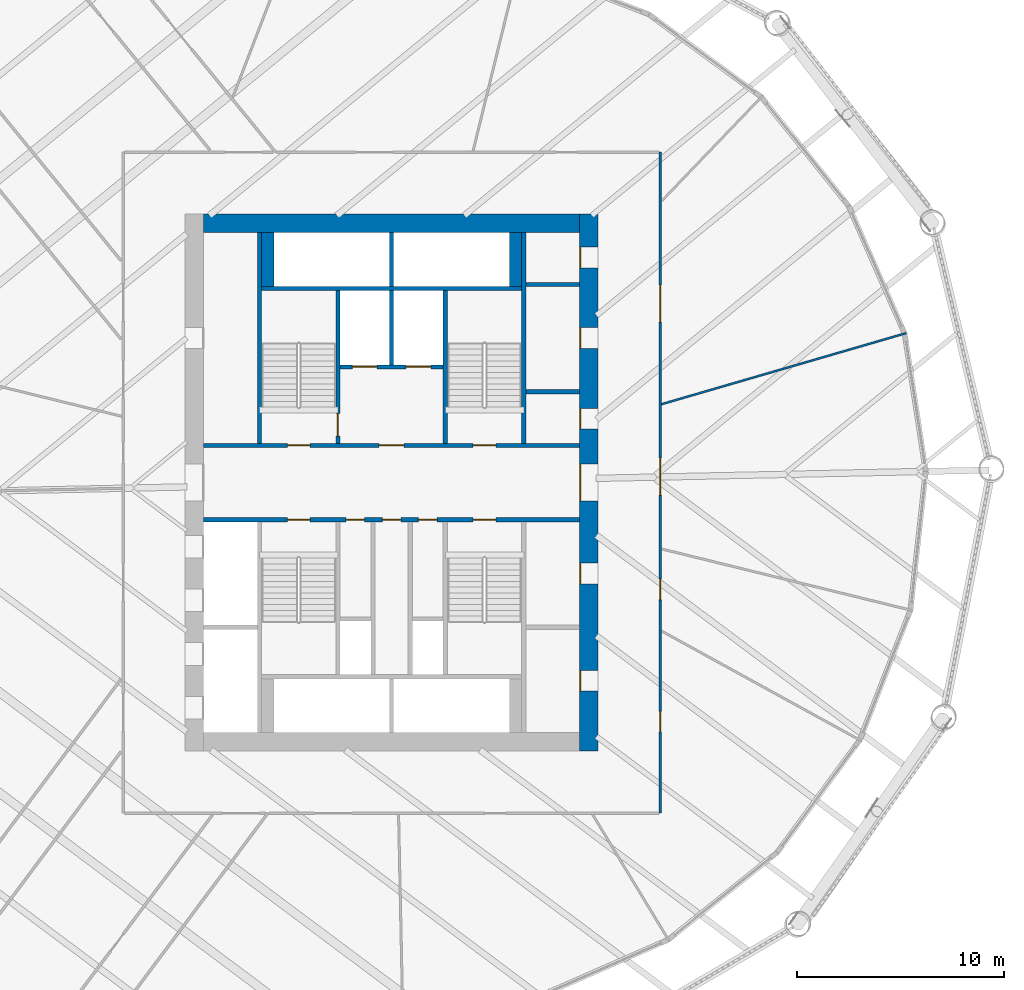
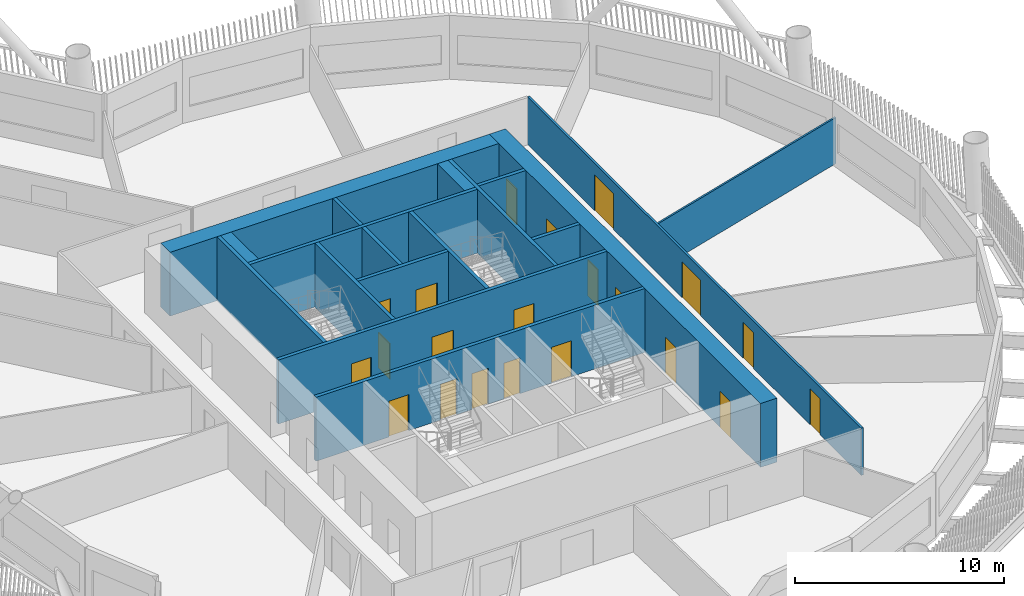
# One storey, part 5 of 22: 21 doors, 18 walls, 21 openings.
"""IFC4 building model written with IfcOpenShell, lengths in metres."""

from ifc_helpers import new_model, si_unit, direction, frame, frame_2d, origin, place, context, subcontext, project, spatial, rectangle, extrude, material, layer, layer_set, type_object, element, fill, save


model = new_model("IFC4")

# Units and contexts
model_context = context("Model", 3, precision=1e-05, world=origin(), true_north=direction((0.0, 1.0)))
body_context = subcontext(model_context, "Body", "Model", "MODEL_VIEW")
ifc_project = project(units=[si_unit("LENGTHUNIT", "METRE"), si_unit("AREAUNIT", "SQUARE_METRE"), si_unit("VOLUMEUNIT", "CUBIC_METRE"), si_unit("PLANEANGLEUNIT", "RADIAN"), si_unit("MASSUNIT", "GRAM", prefix="KILO")], contexts=[model_context])

# Site, building, storey
site_placement = place(None, origin())
site = spatial("IfcSite", under=ifc_project, at=site_placement, CompositionType="ELEMENT")
building_placement = place(site_placement, origin())
building = spatial("IfcBuilding", under=site, at=building_placement, Name="Tarsis Ring Headquarters", CompositionType="ELEMENT")
storey_placement = place(building_placement, frame((0.0, 0.0, 40.0)))
storey = spatial("IfcBuildingStorey", under=building, at=storey_placement, Name="L07", CompositionType="ELEMENT", Elevation=40.0)

# Walls
ifc_material_1 = material(Name="Blockwork", Category="masonry")
ifc_layer_1 = layer(ifc_material_1, 0.199951171875)
ifc_layer_set_1 = layer_set([ifc_layer_1], Name="Core blockwork wall 200")
wall_type_1 = type_object("IfcWallType", Name="Core blockwork wall 200", PredefinedType="PARTITIONING", material=ifc_layer_set_1)
for number, where, z_axis, x_axis, name in (
    (1, (6.5, 4.39990234375, 0.0), (0.0, 0.0, 1.0), (1.0, 0.0, 0.0), "Core partition ED5"),
    (2, (6.5, 9.60009765625, 0.0), (0.0, 0.0, 1.0), (1.0, 0.0, 0.0), "Core partition ED7"),
):
    element("IfcWall", number, at=place(storey_placement, frame(where, z_axis=z_axis, x_axis=x_axis)), inside=storey, type_object=wall_type_1, Name=name, PredefinedType="PARTITIONING", context=body_context, shape_type="SweptSolid", body=[
        extrude(rectangle(XDim=2.60009765625, YDim=0.199951171875, at=frame_2d((1.300048828125, 0.0))), origin(), (0.0, 0.0, 1.0), 3.739990234375),
    ])

# Wall, openings, doors
ifc_material_2 = material(Name="Concrete C60/75", Category="concrete")
ifc_layer_2 = layer(ifc_material_2, 0.89990234375)
ifc_layer_set_2 = layer_set([ifc_layer_2], Name="Core wall 900 C60/75")
wall_type_2 = type_object("IfcWallType", Name="Core wall 900 C60/75", PredefinedType="SHEAR", material=ifc_layer_set_2)
wall_1_placement = place(storey_placement, frame((9.550048828125, -13.0, 0.0), z_axis=(0.0, 0.0, 1.0), x_axis=(0.0, 1.0, 0.0)))
wall_1 = element("IfcWall", 3, at=wall_1_placement, inside=storey, type_object=wall_type_2, Name="Core wall OE", PredefinedType="SHEAR", context=body_context, shape_type="SweptSolid", body=[
    extrude(rectangle(XDim=26.0, YDim=0.89990234375, at=frame_2d((13.0, 0.0))), origin(), (0.0, 0.0, 1.0), 3.739990234375),
])
opening_1_placement = place(wall_1_placement, frame((2.89990234375, 0.0, 0.0)))
opening_1 = element("IfcOpeningElement", 4, at=opening_1_placement, cuts=wall_1, Name="Opening L07-C07", PredefinedType="OPENING", context=body_context, shape_type="SweptSolid", body=[
    extrude(rectangle(XDim=1.0, YDim=2.10009765625, at=frame_2d((0.5, 1.050048828125))), frame((0.0, 0.4599609375, 0.0), z_axis=(0.0, -1.0, 0.0), x_axis=(1.0, 0.0, 0.0)), (0.0, 0.0, 1.0), 0.919921875),
])
opening_2_placement = place(wall_1_placement, frame((8.10009765625, 0.0, 0.0)))
opening_2 = element("IfcOpeningElement", 5, at=opening_2_placement, cuts=wall_1, Name="Opening L07-C08", PredefinedType="OPENING", context=body_context, shape_type="SweptSolid", body=[
    extrude(rectangle(XDim=1.0, YDim=2.10009765625, at=frame_2d((0.5, 1.050048828125))), frame((0.0, 0.4599609375, 0.0), z_axis=(0.0, -1.0, 0.0), x_axis=(1.0, 0.0, 0.0)), (0.0, 0.0, 1.0), 0.919921875),
])
opening_3_placement = place(wall_1_placement, frame((12.10009765625, 0.0, 0.0)))
opening_3 = element("IfcOpeningElement", 6, at=opening_3_placement, cuts=wall_1, Name="Opening L07-C09", PredefinedType="OPENING", context=body_context, shape_type="SweptSolid", body=[
    extrude(rectangle(XDim=1.800048828125, YDim=2.10009765625, at=frame_2d((0.89990234375, 1.050048828125))), frame((0.0, 0.4599609375, 0.0), z_axis=(0.0, -1.0, 0.0), x_axis=(1.0, 0.0, 0.0)), (0.0, 0.0, 1.0), 0.919921875),
])
opening_4_placement = place(wall_1_placement, frame((15.60009765625, 0.0, 0.0)))
opening_4 = element("IfcOpeningElement", 7, at=opening_4_placement, cuts=wall_1, Name="Opening L07-C10", PredefinedType="OPENING", context=body_context, shape_type="SweptSolid", body=[
    extrude(rectangle(XDim=1.0, YDim=2.10009765625, at=frame_2d((0.5, 1.050048828125))), frame((0.0, 0.4599609375, 0.0), z_axis=(0.0, -1.0, 0.0), x_axis=(1.0, 0.0, 0.0)), (0.0, 0.0, 1.0), 0.919921875),
])
opening_5_placement = place(wall_1_placement, frame((19.5, 0.0, 0.0)))
opening_5 = element("IfcOpeningElement", 8, at=opening_5_placement, cuts=wall_1, Name="Opening L07-C11", PredefinedType="OPENING", context=body_context, shape_type="SweptSolid", body=[
    extrude(rectangle(XDim=1.0, YDim=2.10009765625, at=frame_2d((0.5, 1.050048828125))), frame((0.0, 0.4599609375, 0.0), z_axis=(0.0, -1.0, 0.0), x_axis=(1.0, 0.0, 0.0)), (0.0, 0.0, 1.0), 0.919921875),
])
opening_6_placement = place(wall_1_placement, frame((23.39990234375, 0.0, 0.0)))
opening_6 = element("IfcOpeningElement", 9, at=opening_6_placement, cuts=wall_1, Name="Opening L07-C12", PredefinedType="OPENING", context=body_context, shape_type="SweptSolid", body=[
    extrude(rectangle(XDim=1.0, YDim=2.10009765625, at=frame_2d((0.5, 1.050048828125))), frame((0.0, 0.4599609375, 0.0), z_axis=(0.0, -1.0, 0.0), x_axis=(1.0, 0.0, 0.0)), (0.0, 0.0, 1.0), 0.919921875),
])
ifc_material_3 = material(Name="Steel S355", Category="steel")
door_type_1 = type_object("IfcDoorType", Name="Core entry door 1800x2100", OperationType="DOUBLE_DOOR_SINGLE_SWING", PredefinedType="DOOR", material=ifc_material_3)
door_1_placement = place(opening_3_placement, origin())
door_1 = element("IfcDoor", 10, at=door_1_placement, inside=storey, type_object=door_type_1, Name="Core entry door L07", OperationType="DOUBLE_DOOR_SINGLE_SWING", OverallHeight=2.10009765625, OverallWidth=1.800048828125, PredefinedType="DOOR", context=body_context, shape_type="SweptSolid", body=[
    extrude(rectangle(XDim=1.800048828125, YDim=2.10009765625, at=frame_2d((0.89990234375, 1.050048828125))), frame((0.0, 0.4501953125, 0.0), z_axis=(0.0, -1.0, 0.0), x_axis=(1.0, 0.0, 0.0)), (0.0, 0.0, 1.0), 0.050048828125),
])
fill(opening_3, door_1)
door_type_2 = type_object("IfcDoorType", Name="Core room door 1000x2100", OperationType="SINGLE_SWING_LEFT", PredefinedType="DOOR", material=ifc_material_3)
door_2_placement = place(opening_1_placement, origin())
door_2 = element("IfcDoor", 11, at=door_2_placement, inside=storey, type_object=door_type_2, Name="Core room door L07", OperationType="SINGLE_SWING_LEFT", OverallHeight=2.10009765625, OverallWidth=1.0, PredefinedType="DOOR", context=body_context, shape_type="SweptSolid", body=[
    extrude(rectangle(XDim=1.0, YDim=2.10009765625, at=frame_2d((0.5, 1.050048828125))), frame((0.0, 0.4501953125, 0.0), z_axis=(0.0, -1.0, 0.0), x_axis=(1.0, 0.0, 0.0)), (0.0, 0.0, 1.0), 0.050048828125),
])
fill(opening_1, door_2)
door_3_placement = place(opening_2_placement, origin())
door_3 = element("IfcDoor", 12, at=door_3_placement, inside=storey, type_object=door_type_2, Name="Core room door L07", OperationType="SINGLE_SWING_LEFT", OverallHeight=2.10009765625, OverallWidth=1.0, PredefinedType="DOOR", context=body_context, shape_type="SweptSolid", body=[
    extrude(rectangle(XDim=1.0, YDim=2.10009765625, at=frame_2d((0.5, 1.050048828125))), frame((0.0, 0.4501953125, 0.0), z_axis=(0.0, -1.0, 0.0), x_axis=(1.0, 0.0, 0.0)), (0.0, 0.0, 1.0), 0.050048828125),
])
fill(opening_2, door_3)
door_4_placement = place(opening_4_placement, origin())
door_4 = element("IfcDoor", 13, at=door_4_placement, inside=storey, type_object=door_type_2, Name="Core room door L07", OperationType="SINGLE_SWING_LEFT", OverallHeight=2.10009765625, OverallWidth=1.0, PredefinedType="DOOR", context=body_context, shape_type="SweptSolid", body=[
    extrude(rectangle(XDim=1.0, YDim=2.10009765625, at=frame_2d((0.5, 1.050048828125))), frame((0.0, 0.4501953125, 0.0), z_axis=(0.0, -1.0, 0.0), x_axis=(1.0, 0.0, 0.0)), (0.0, 0.0, 1.0), 0.050048828125),
])
fill(opening_4, door_4)
door_5_placement = place(opening_5_placement, origin())
door_5 = element("IfcDoor", 14, at=door_5_placement, inside=storey, type_object=door_type_2, Name="Core room door L07", OperationType="SINGLE_SWING_LEFT", OverallHeight=2.10009765625, OverallWidth=1.0, PredefinedType="DOOR", context=body_context, shape_type="SweptSolid", body=[
    extrude(rectangle(XDim=1.0, YDim=2.10009765625, at=frame_2d((0.5, 1.050048828125))), frame((0.0, 0.4501953125, 0.0), z_axis=(0.0, -1.0, 0.0), x_axis=(1.0, 0.0, 0.0)), (0.0, 0.0, 1.0), 0.050048828125),
])
fill(opening_5, door_5)
door_6_placement = place(opening_6_placement, origin())
door_6 = element("IfcDoor", 15, at=door_6_placement, inside=storey, type_object=door_type_2, Name="Core room door L07", OperationType="SINGLE_SWING_LEFT", OverallHeight=2.10009765625, OverallWidth=1.0, PredefinedType="DOOR", context=body_context, shape_type="SweptSolid", body=[
    extrude(rectangle(XDim=1.0, YDim=2.10009765625, at=frame_2d((0.5, 1.050048828125))), frame((0.0, 0.4501953125, 0.0), z_axis=(0.0, -1.0, 0.0), x_axis=(1.0, 0.0, 0.0)), (0.0, 0.0, 1.0), 0.050048828125),
])
fill(opening_6, door_6)

# Walls
wall_2_placement = place(storey_placement, frame((-9.10009765625, 12.550048828125, 0.0), z_axis=(0.0, 0.0, 1.0), x_axis=(1.0, 0.0, 0.0)))
element("IfcWall", 16, at=wall_2_placement, inside=storey, type_object=wall_type_2, Name="Core wall ON", PredefinedType="SHEAR", context=body_context, shape_type="SweptSolid", body=[
    extrude(rectangle(XDim=18.2001953125, YDim=0.89990234375, at=frame_2d((9.10009765625, 0.0))), origin(), (0.0, 0.0, 1.0), 3.739990234375),
])
ifc_material_4 = material(Name="Gypsum board on steel studs", Category="steel")
ifc_layer_3 = layer(ifc_material_4, 0.10009765625)
ifc_layer_set_3 = layer_set([ifc_layer_3], Name="FL partition 100 unrated")
wall_type_3 = type_object("IfcWallType", Name="FL partition 100 unrated", PredefinedType="PARTITIONING", material=ifc_layer_set_3)
wall_3_placement = place(storey_placement, frame((13.067138671875, 3.79638671875, 0.0), z_axis=(0.0, 0.0, 1.0), x_axis=(0.960293066054, 0.278993238787, 0.0)))
element("IfcWall", 17, at=wall_3_placement, inside=storey, type_object=wall_type_3, Name="Partition PW3", PredefinedType="PARTITIONING", context=body_context, shape_type="SweptSolid", body=[
    extrude(rectangle(XDim=12.34033203125, YDim=0.10009765625, at=frame_2d((6.170166015625, 0.0))), origin(), (0.0, 0.0, 1.0), 2.699951171875),
])

# Wall, openings, doors
ifc_layer_4 = layer(ifc_material_4, 0.125)
ifc_layer_set_4 = layer_set([ifc_layer_4], Name="FL partition 125 EI 60 H2770")
wall_type_4 = type_object("IfcWallType", Name="FL partition 125 EI 60 H2770", PredefinedType="PARTITIONING", material=ifc_layer_set_4)
wall_4_placement = place(storey_placement, frame((13.0, -16.0, 0.0), z_axis=(0.0, 0.0, 1.0), x_axis=(0.0, 1.0, 0.0)))
wall_4 = element("IfcWall", 18, at=wall_4_placement, inside=storey, type_object=wall_type_4, Name="Partition PW1", PredefinedType="PARTITIONING", context=body_context, shape_type="SweptSolid", body=[
    extrude(rectangle(XDim=32.0, YDim=0.125, at=frame_2d((16.0, 0.0))), origin(), (0.0, 0.0, 1.0), 2.77001953125),
])
opening_7_placement = place(wall_4_placement, frame((23.7666015625, 0.0, 0.0)))
opening_7 = element("IfcOpeningElement", 19, at=opening_7_placement, cuts=wall_4, Name="Opening D07.06", PredefinedType="OPENING", context=body_context, shape_type="SweptSolid", body=[
    extrude(rectangle(XDim=1.800048828125, YDim=2.10009765625, at=frame_2d((0.89990234375, 1.050048828125))), frame((0.0, 0.072509765625, 0.0), z_axis=(0.0, -1.0, 0.0), x_axis=(1.0, 0.0, 0.0)), (0.0, 0.0, 1.0), 0.14501953125),
])
opening_8_placement = place(wall_4_placement, frame((15.391845703125, 0.0, 0.0)))
opening_8 = element("IfcOpeningElement", 20, at=opening_8_placement, cuts=wall_4, Name="Opening D07.07", PredefinedType="OPENING", context=body_context, shape_type="SweptSolid", body=[
    extrude(rectangle(XDim=1.800048828125, YDim=2.10009765625, at=frame_2d((0.89990234375, 1.050048828125))), frame((0.0, 0.072509765625, 0.0), z_axis=(0.0, -1.0, 0.0), x_axis=(1.0, 0.0, 0.0)), (0.0, 0.0, 1.0), 0.14501953125),
])
opening_9_placement = place(wall_4_placement, frame((10.330078125, 0.0, 0.0)))
opening_9 = element("IfcOpeningElement", 21, at=opening_9_placement, cuts=wall_4, Name="Opening D07.08", PredefinedType="OPENING", context=body_context, shape_type="SweptSolid", body=[
    extrude(rectangle(XDim=1.0, YDim=2.10009765625, at=frame_2d((0.5, 1.050048828125))), frame((0.0, 0.072509765625, 0.0), z_axis=(0.0, -1.0, 0.0), x_axis=(1.0, 0.0, 0.0)), (0.0, 0.0, 1.0), 0.14501953125),
])
opening_10_placement = place(wall_4_placement, frame((3.926513671875, 0.0, 0.0)))
opening_10 = element("IfcOpeningElement", 22, at=opening_10_placement, cuts=wall_4, Name="Opening D07.09", PredefinedType="OPENING", context=body_context, shape_type="SweptSolid", body=[
    extrude(rectangle(XDim=1.0, YDim=2.10009765625, at=frame_2d((0.5, 1.050048828125))), frame((0.0, 0.072509765625, 0.0), z_axis=(0.0, -1.0, 0.0), x_axis=(1.0, 0.0, 0.0)), (0.0, 0.0, 1.0), 0.14501953125),
])
ifc_material_5 = material(Name="Fire-rated timber door leaf in steel frame", Category="steel")
door_type_3 = type_object("IfcDoorType", Name="FL door FD60-1000", OperationType="NOTDEFINED", PredefinedType="DOOR", material=ifc_material_5)
door_7_placement = place(opening_9_placement, origin())
door_7 = element("IfcDoor", 23, at=door_7_placement, inside=storey, type_object=door_type_3, Name="Door D07.08", OperationType="SINGLE_SWING_LEFT", OverallHeight=2.10009765625, OverallWidth=1.0, PredefinedType="DOOR", context=body_context, shape_type="SweptSolid", body=[
    extrude(rectangle(XDim=1.0, YDim=2.10009765625, at=frame_2d((0.5, 1.050048828125))), frame((0.0, 0.02490234375, 0.0), z_axis=(0.0, -1.0, 0.0), x_axis=(1.0, 0.0, 0.0)), (0.0, 0.0, 1.0), 0.050048828125),
])
fill(opening_9, door_7)
door_8_placement = place(opening_10_placement, origin())
door_8 = element("IfcDoor", 24, at=door_8_placement, inside=storey, type_object=door_type_3, Name="Door D07.09", OperationType="SINGLE_SWING_RIGHT", OverallHeight=2.10009765625, OverallWidth=1.0, PredefinedType="DOOR", context=body_context, shape_type="SweptSolid", body=[
    extrude(rectangle(XDim=1.0, YDim=2.10009765625, at=frame_2d((0.5, 1.050048828125))), frame((0.0, 0.02490234375, 0.0), z_axis=(0.0, -1.0, 0.0), x_axis=(1.0, 0.0, 0.0)), (0.0, 0.0, 1.0), 0.050048828125),
])
fill(opening_10, door_8)
door_type_4 = type_object("IfcDoorType", Name="FL door FD60-1800", OperationType="DOUBLE_DOOR_SINGLE_SWING", PredefinedType="DOOR", material=ifc_material_5)
door_9_placement = place(opening_7_placement, origin())
door_9 = element("IfcDoor", 25, at=door_9_placement, inside=storey, type_object=door_type_4, Name="Door D07.06", OperationType="DOUBLE_DOOR_SINGLE_SWING", OverallHeight=2.10009765625, OverallWidth=1.800048828125, PredefinedType="DOOR", context=body_context, shape_type="SweptSolid", body=[
    extrude(rectangle(XDim=1.800048828125, YDim=2.10009765625, at=frame_2d((0.89990234375, 1.050048828125))), frame((0.0, 0.02490234375, 0.0), z_axis=(0.0, -1.0, 0.0), x_axis=(1.0, 0.0, 0.0)), (0.0, 0.0, 1.0), 0.050048828125),
])
fill(opening_7, door_9)
door_10_placement = place(opening_8_placement, origin())
door_10 = element("IfcDoor", 26, at=door_10_placement, inside=storey, type_object=door_type_4, Name="Door D07.07", OperationType="DOUBLE_DOOR_SINGLE_SWING", OverallHeight=2.10009765625, OverallWidth=1.800048828125, PredefinedType="DOOR", context=body_context, shape_type="SweptSolid", body=[
    extrude(rectangle(XDim=1.800048828125, YDim=2.10009765625, at=frame_2d((0.89990234375, 1.050048828125))), frame((0.0, 0.02490234375, 0.0), z_axis=(0.0, -1.0, 0.0), x_axis=(1.0, 0.0, 0.0)), (0.0, 0.0, 1.0), 0.050048828125),
])
fill(opening_8, door_10)

# Walls
ifc_material_6 = material(Name="Concrete C32/40", Category="concrete")
ifc_layer_5 = layer(ifc_material_6, 0.60009765625)
ifc_layer_set_5 = layer_set([ifc_layer_5], Name="Shaft end wall 600 C32/40")
wall_type_5 = type_object("IfcWallType", Name="Shaft end wall 600 C32/40", PredefinedType="SOLIDWALL", material=ifc_layer_set_5)
for number, where, z_axis, x_axis, name in (
    (27, (-6.0, 9.5, 0.0), (0.0, 0.0, 1.0), (0.0, 1.0, 0.0), "Core shaft wall NNE1"),
    (28, (6.0, 9.5, 0.0), (0.0, 0.0, 1.0), (0.0, 1.0, 0.0), "Core shaft wall NNE2"),
):
    element("IfcWall", number, at=place(storey_placement, frame(where, z_axis=z_axis, x_axis=x_axis)), inside=storey, type_object=wall_type_5, Name=name, PredefinedType="SOLIDWALL", context=body_context, shape_type="SweptSolid", body=[
        extrude(rectangle(XDim=2.60009765625, YDim=0.60009765625, at=frame_2d((1.300048828125, 0.0))), origin(), (0.0, 0.0, 1.0), 3.739990234375),
    ])

# Wall, openings, doors
ifc_layer_6 = layer(ifc_material_6, 0.199951171875)
ifc_layer_set_6 = layer_set([ifc_layer_6], Name="Shaft wall 200 C32/40")
wall_type_6 = type_object("IfcWallType", Name="Shaft wall 200 C32/40", PredefinedType="SOLIDWALL", material=ifc_layer_set_6)
wall_5_placement = place(storey_placement, frame((-9.10009765625, 1.800048828125, 0.0), z_axis=(0.0, 0.0, 1.0), x_axis=(1.0, 0.0, 0.0)))
wall_5 = element("IfcWall", 29, at=wall_5_placement, inside=storey, type_object=wall_type_6, Name="Core shaft wall CN", PredefinedType="SOLIDWALL", context=body_context, shape_type="SweptSolid", body=[
    extrude(rectangle(XDim=18.2001953125, YDim=0.199951171875, at=frame_2d((9.10009765625, 0.0))), origin(), (0.0, 0.0, 1.0), 3.739990234375),
])
opening_11_placement = place(wall_5_placement, frame((4.050048828125, 0.0, 0.0)))
opening_11 = element("IfcOpeningElement", 30, at=opening_11_placement, cuts=wall_5, Name="Opening L07-C13", PredefinedType="OPENING", context=body_context, shape_type="SweptSolid", body=[
    extrude(rectangle(XDim=1.10009765625, YDim=2.10009765625, at=frame_2d((0.550048828125, 1.050048828125))), frame((0.0, 0.10986328125, 0.0), z_axis=(0.0, -1.0, 0.0), x_axis=(1.0, 0.0, 0.0)), (0.0, 0.0, 1.0), 0.219970703125),
])
opening_12_placement = place(wall_5_placement, frame((8.5, 0.0, 0.0)))
opening_12 = element("IfcOpeningElement", 31, at=opening_12_placement, cuts=wall_5, Name="Opening L07-C14", PredefinedType="OPENING", context=body_context, shape_type="SweptSolid", body=[
    extrude(rectangle(XDim=1.199951171875, YDim=2.10009765625, at=frame_2d((0.60009765625, 1.050048828125))), frame((0.0, 0.10986328125, 0.0), z_axis=(0.0, -1.0, 0.0), x_axis=(1.0, 0.0, 0.0)), (0.0, 0.0, 1.0), 0.219970703125),
])
opening_13_placement = place(wall_5_placement, frame((13.050048828125, 0.0, 0.0)))
opening_13 = element("IfcOpeningElement", 32, at=opening_13_placement, cuts=wall_5, Name="Opening L07-C15", PredefinedType="OPENING", context=body_context, shape_type="SweptSolid", body=[
    extrude(rectangle(XDim=1.10009765625, YDim=2.10009765625, at=frame_2d((0.550048828125, 1.050048828125))), frame((0.0, 0.10986328125, 0.0), z_axis=(0.0, -1.0, 0.0), x_axis=(1.0, 0.0, 0.0)), (0.0, 0.0, 1.0), 0.219970703125),
])
door_type_5 = type_object("IfcDoorType", Name="Firefighting lobby door 1200x2100", OperationType="DOUBLE_DOOR_SINGLE_SWING", PredefinedType="DOOR", material=ifc_material_3)
door_11_placement = place(opening_12_placement, origin())
door_11 = element("IfcDoor", 33, at=door_11_placement, inside=storey, type_object=door_type_5, Name="Firefighting lobby door L07", OperationType="DOUBLE_DOOR_SINGLE_SWING", OverallHeight=2.10009765625, OverallWidth=1.199951171875, PredefinedType="DOOR", context=body_context, shape_type="SweptSolid", body=[
    extrude(rectangle(XDim=1.199951171875, YDim=2.10009765625, at=frame_2d((0.60009765625, 1.050048828125))), frame((0.0, 0.02490234375, 0.0), z_axis=(0.0, -1.0, 0.0), x_axis=(1.0, 0.0, 0.0)), (0.0, 0.0, 1.0), 0.050048828125),
])
fill(opening_12, door_11)
door_type_6 = type_object("IfcDoorType", Name="Stair door 1100x2100", OperationType="SINGLE_SWING_LEFT", PredefinedType="DOOR", material=ifc_material_3)
door_12_placement = place(opening_11_placement, origin())
door_12 = element("IfcDoor", 34, at=door_12_placement, inside=storey, type_object=door_type_6, Name="Stair door L07", OperationType="SINGLE_SWING_LEFT", OverallHeight=2.10009765625, OverallWidth=1.10009765625, PredefinedType="DOOR", context=body_context, shape_type="SweptSolid", body=[
    extrude(rectangle(XDim=1.10009765625, YDim=2.10009765625, at=frame_2d((0.550048828125, 1.050048828125))), frame((0.0, 0.02490234375, 0.0), z_axis=(0.0, -1.0, 0.0), x_axis=(1.0, 0.0, 0.0)), (0.0, 0.0, 1.0), 0.050048828125),
])
fill(opening_11, door_12)
door_13_placement = place(opening_13_placement, origin())
door_13 = element("IfcDoor", 35, at=door_13_placement, inside=storey, type_object=door_type_6, Name="Stair door L07", OperationType="SINGLE_SWING_LEFT", OverallHeight=2.10009765625, OverallWidth=1.10009765625, PredefinedType="DOOR", context=body_context, shape_type="SweptSolid", body=[
    extrude(rectangle(XDim=1.10009765625, YDim=2.10009765625, at=frame_2d((0.550048828125, 1.050048828125))), frame((0.0, 0.02490234375, 0.0), z_axis=(0.0, -1.0, 0.0), x_axis=(1.0, 0.0, 0.0)), (0.0, 0.0, 1.0), 0.050048828125),
])
fill(opening_13, door_13)

wall_6_placement = place(storey_placement, frame((-9.10009765625, -1.800048828125, 0.0), z_axis=(0.0, 0.0, 1.0), x_axis=(1.0, 0.0, 0.0)))
wall_6 = element("IfcWall", 36, at=wall_6_placement, inside=storey, type_object=wall_type_6, Name="Core shaft wall CS", PredefinedType="SOLIDWALL", context=body_context, shape_type="SweptSolid", body=[
    extrude(rectangle(XDim=18.2001953125, YDim=0.199951171875, at=frame_2d((9.10009765625, 0.0))), origin(), (0.0, 0.0, 1.0), 3.739990234375),
])
opening_14_placement = place(wall_6_placement, frame((4.050048828125, 0.0, 0.0)))
opening_14 = element("IfcOpeningElement", 37, at=opening_14_placement, cuts=wall_6, Name="Opening L07-C16", PredefinedType="OPENING", context=body_context, shape_type="SweptSolid", body=[
    extrude(rectangle(XDim=1.10009765625, YDim=2.10009765625, at=frame_2d((0.550048828125, 1.050048828125))), frame((0.0, 0.10986328125, 0.0), z_axis=(0.0, -1.0, 0.0), x_axis=(1.0, 0.0, 0.0)), (0.0, 0.0, 1.0), 0.219970703125),
])
opening_15_placement = place(wall_6_placement, frame((6.89990234375, 0.0, 0.0)))
opening_15 = element("IfcOpeningElement", 38, at=opening_15_placement, cuts=wall_6, Name="Opening L07-C17", PredefinedType="OPENING", context=body_context, shape_type="SweptSolid", body=[
    extrude(rectangle(XDim=0.89990234375, YDim=2.10009765625, at=frame_2d((0.449951171875, 1.050048828125))), frame((0.0, 0.10986328125, 0.0), z_axis=(0.0, -1.0, 0.0), x_axis=(1.0, 0.0, 0.0)), (0.0, 0.0, 1.0), 0.219970703125),
])
opening_16_placement = place(wall_6_placement, frame((8.64990234375, 0.0, 0.0)))
opening_16 = element("IfcOpeningElement", 39, at=opening_16_placement, cuts=wall_6, Name="Opening L07-C18", PredefinedType="OPENING", context=body_context, shape_type="SweptSolid", body=[
    extrude(rectangle(XDim=0.89990234375, YDim=2.10009765625, at=frame_2d((0.449951171875, 1.050048828125))), frame((0.0, 0.10986328125, 0.0), z_axis=(0.0, -1.0, 0.0), x_axis=(1.0, 0.0, 0.0)), (0.0, 0.0, 1.0), 0.219970703125),
])
opening_17_placement = place(wall_6_placement, frame((10.39990234375, 0.0, 0.0)))
opening_17 = element("IfcOpeningElement", 40, at=opening_17_placement, cuts=wall_6, Name="Opening L07-C19", PredefinedType="OPENING", context=body_context, shape_type="SweptSolid", body=[
    extrude(rectangle(XDim=0.89990234375, YDim=2.10009765625, at=frame_2d((0.449951171875, 1.050048828125))), frame((0.0, 0.10986328125, 0.0), z_axis=(0.0, -1.0, 0.0), x_axis=(1.0, 0.0, 0.0)), (0.0, 0.0, 1.0), 0.219970703125),
])
opening_18_placement = place(wall_6_placement, frame((13.050048828125, 0.0, 0.0)))
opening_18 = element("IfcOpeningElement", 41, at=opening_18_placement, cuts=wall_6, Name="Opening L07-C20", PredefinedType="OPENING", context=body_context, shape_type="SweptSolid", body=[
    extrude(rectangle(XDim=1.10009765625, YDim=2.10009765625, at=frame_2d((0.550048828125, 1.050048828125))), frame((0.0, 0.10986328125, 0.0), z_axis=(0.0, -1.0, 0.0), x_axis=(1.0, 0.0, 0.0)), (0.0, 0.0, 1.0), 0.219970703125),
])
door_14_placement = place(opening_14_placement, origin())
door_14 = element("IfcDoor", 42, at=door_14_placement, inside=storey, type_object=door_type_6, Name="Stair door L07", OperationType="SINGLE_SWING_LEFT", OverallHeight=2.10009765625, OverallWidth=1.10009765625, PredefinedType="DOOR", context=body_context, shape_type="SweptSolid", body=[
    extrude(rectangle(XDim=1.10009765625, YDim=2.10009765625, at=frame_2d((0.550048828125, 1.050048828125))), frame((0.0, 0.02490234375, 0.0), z_axis=(0.0, -1.0, 0.0), x_axis=(1.0, 0.0, 0.0)), (0.0, 0.0, 1.0), 0.050048828125),
])
fill(opening_14, door_14)
door_15_placement = place(opening_18_placement, origin())
door_15 = element("IfcDoor", 43, at=door_15_placement, inside=storey, type_object=door_type_6, Name="Stair door L07", OperationType="SINGLE_SWING_LEFT", OverallHeight=2.10009765625, OverallWidth=1.10009765625, PredefinedType="DOOR", context=body_context, shape_type="SweptSolid", body=[
    extrude(rectangle(XDim=1.10009765625, YDim=2.10009765625, at=frame_2d((0.550048828125, 1.050048828125))), frame((0.0, 0.02490234375, 0.0), z_axis=(0.0, -1.0, 0.0), x_axis=(1.0, 0.0, 0.0)), (0.0, 0.0, 1.0), 0.050048828125),
])
fill(opening_18, door_15)
door_type_7 = type_object("IfcDoorType", Name="WC door 900x2100", OperationType="SINGLE_SWING_LEFT", PredefinedType="DOOR", material=ifc_material_3)
door_16_placement = place(opening_15_placement, origin())
door_16 = element("IfcDoor", 44, at=door_16_placement, inside=storey, type_object=door_type_7, Name="WC door L07", OperationType="SINGLE_SWING_LEFT", OverallHeight=2.10009765625, OverallWidth=0.89990234375, PredefinedType="DOOR", context=body_context, shape_type="SweptSolid", body=[
    extrude(rectangle(XDim=0.89990234375, YDim=2.10009765625, at=frame_2d((0.449951171875, 1.050048828125))), frame((0.0, 0.02490234375, 0.0), z_axis=(0.0, -1.0, 0.0), x_axis=(1.0, 0.0, 0.0)), (0.0, 0.0, 1.0), 0.050048828125),
])
fill(opening_15, door_16)
door_17_placement = place(opening_16_placement, origin())
door_17 = element("IfcDoor", 45, at=door_17_placement, inside=storey, type_object=door_type_7, Name="WC door L07", OperationType="SINGLE_SWING_LEFT", OverallHeight=2.10009765625, OverallWidth=0.89990234375, PredefinedType="DOOR", context=body_context, shape_type="SweptSolid", body=[
    extrude(rectangle(XDim=0.89990234375, YDim=2.10009765625, at=frame_2d((0.449951171875, 1.050048828125))), frame((0.0, 0.02490234375, 0.0), z_axis=(0.0, -1.0, 0.0), x_axis=(1.0, 0.0, 0.0)), (0.0, 0.0, 1.0), 0.050048828125),
])
fill(opening_16, door_17)
door_18_placement = place(opening_17_placement, origin())
door_18 = element("IfcDoor", 46, at=door_18_placement, inside=storey, type_object=door_type_7, Name="WC door L07", OperationType="SINGLE_SWING_LEFT", OverallHeight=2.10009765625, OverallWidth=0.89990234375, PredefinedType="DOOR", context=body_context, shape_type="SweptSolid", body=[
    extrude(rectangle(XDim=0.89990234375, YDim=2.10009765625, at=frame_2d((0.449951171875, 1.050048828125))), frame((0.0, 0.02490234375, 0.0), z_axis=(0.0, -1.0, 0.0), x_axis=(1.0, 0.0, 0.0)), (0.0, 0.0, 1.0), 0.050048828125),
])
fill(opening_17, door_18)

# Walls
for number, where, z_axis, x_axis, name in (
    (47, (-6.39990234375, 1.89990234375, 0.0), (0.0, 0.0, 1.0), (0.0, 1.0, 0.0), "Core shaft wall WB2"),
    (48, (6.39990234375, 1.89990234375, 0.0), (0.0, 0.0, 1.0), (0.0, 1.0, 0.0), "Core shaft wall EB2"),
):
    element("IfcWall", number, at=place(storey_placement, frame(where, z_axis=z_axis, x_axis=x_axis)), inside=storey, type_object=wall_type_6, Name=name, PredefinedType="SOLIDWALL", context=body_context, shape_type="SweptSolid", body=[
        extrude(rectangle(XDim=10.2001953125, YDim=0.199951171875, at=frame_2d((5.10009765625, 0.0))), origin(), (0.0, 0.0, 1.0), 3.739990234375),
    ])
wall_7_placement = place(storey_placement, frame((-6.300048828125, 9.39990234375, 0.0), z_axis=(0.0, 0.0, 1.0), x_axis=(1.0, 0.0, 0.0)))
element("IfcWall", 49, at=wall_7_placement, inside=storey, type_object=wall_type_6, Name="Core shaft wall NB", PredefinedType="SOLIDWALL", context=body_context, shape_type="SweptSolid", body=[
    extrude(rectangle(XDim=12.60009765625, YDim=0.199951171875, at=frame_2d((6.300048828125, 0.0))), origin(), (0.0, 0.0, 1.0), 3.739990234375),
])

# Wall, opening, door
wall_8_placement = place(storey_placement, frame((-2.60009765625, 1.89990234375, 0.0), z_axis=(0.0, 0.0, 1.0), x_axis=(0.0, 1.0, 0.0)))
wall_8 = element("IfcWall", 50, at=wall_8_placement, inside=storey, type_object=wall_type_6, Name="Core shaft wall SW1", PredefinedType="SOLIDWALL", context=body_context, shape_type="SweptSolid", body=[
    extrude(rectangle(XDim=7.400146484375, YDim=0.199951171875, at=frame_2d((3.7001953125, 0.0))), origin(), (0.0, 0.0, 1.0), 3.739990234375),
])
opening_19_placement = place(wall_8_placement, frame((0.35009765625, 0.0, 0.0)))
opening_19 = element("IfcOpeningElement", 51, at=opening_19_placement, cuts=wall_8, Name="Opening L07-C21", PredefinedType="OPENING", context=body_context, shape_type="SweptSolid", body=[
    extrude(rectangle(XDim=1.10009765625, YDim=2.10009765625, at=frame_2d((0.550048828125, 1.050048828125))), frame((0.0, 0.10986328125, 0.0), z_axis=(0.0, -1.0, 0.0), x_axis=(1.0, 0.0, 0.0)), (0.0, 0.0, 1.0), 0.219970703125),
])
door_19_placement = place(opening_19_placement, origin())
door_19 = element("IfcDoor", 52, at=door_19_placement, inside=storey, type_object=door_type_6, Name="Stair door L07", OperationType="SINGLE_SWING_LEFT", OverallHeight=2.10009765625, OverallWidth=1.10009765625, PredefinedType="DOOR", context=body_context, shape_type="SweptSolid", body=[
    extrude(rectangle(XDim=1.10009765625, YDim=2.10009765625, at=frame_2d((0.550048828125, 1.050048828125))), frame((0.0, 0.02490234375, 0.0), z_axis=(0.0, -1.0, 0.0), x_axis=(1.0, 0.0, 0.0)), (0.0, 0.0, 1.0), 0.050048828125),
])
fill(opening_19, door_19)

# Wall
wall_9_placement = place(storey_placement, frame((2.60009765625, 1.89990234375, 0.0), z_axis=(0.0, 0.0, 1.0), x_axis=(0.0, 1.0, 0.0)))
element("IfcWall", 53, at=wall_9_placement, inside=storey, type_object=wall_type_6, Name="Core shaft wall SW2", PredefinedType="SOLIDWALL", context=body_context, shape_type="SweptSolid", body=[
    extrude(rectangle(XDim=7.400146484375, YDim=0.199951171875, at=frame_2d((3.7001953125, 0.0))), origin(), (0.0, 0.0, 1.0), 3.739990234375),
])

# Wall, openings, doors
wall_10_placement = place(storey_placement, frame((-2.5, 5.60009765625, 0.0), z_axis=(0.0, 0.0, 1.0), x_axis=(1.0, 0.0, 0.0)))
wall_10 = element("IfcWall", 54, at=wall_10_placement, inside=storey, type_object=wall_type_6, Name="Core shaft wall FFN", PredefinedType="SOLIDWALL", context=body_context, shape_type="SweptSolid", body=[
    extrude(rectangle(XDim=5.0, YDim=0.199951171875, at=frame_2d((2.5, 0.0))), origin(), (0.0, 0.0, 1.0), 3.739990234375),
])
opening_20_placement = place(wall_10_placement, frame((0.60009765625, 0.0, 0.0)))
opening_20 = element("IfcOpeningElement", 55, at=opening_20_placement, cuts=wall_10, Name="Opening LDF-1", PredefinedType="OPENING", context=body_context, shape_type="SweptSolid", body=[
    extrude(rectangle(XDim=1.199951171875, YDim=2.10009765625, at=frame_2d((0.60009765625, 1.050048828125))), frame((0.0, 0.10986328125, 0.0), z_axis=(0.0, -1.0, 0.0), x_axis=(1.0, 0.0, 0.0)), (0.0, 0.0, 1.0), 0.219970703125),
])
opening_21_placement = place(wall_10_placement, frame((3.199951171875, 0.0, 0.0)))
opening_21 = element("IfcOpeningElement", 56, at=opening_21_placement, cuts=wall_10, Name="Opening LDF-2", PredefinedType="OPENING", context=body_context, shape_type="SweptSolid", body=[
    extrude(rectangle(XDim=1.199951171875, YDim=2.10009765625, at=frame_2d((0.60009765625, 1.050048828125))), frame((0.0, 0.10986328125, 0.0), z_axis=(0.0, -1.0, 0.0), x_axis=(1.0, 0.0, 0.0)), (0.0, 0.0, 1.0), 0.219970703125),
])
door_type_8 = type_object("IfcDoorType", Name="Firefighting landing door 1200x2100", OperationType="SLIDING_TO_LEFT", PredefinedType="DOOR", material=ifc_material_3)
door_20_placement = place(opening_20_placement, origin())
door_20 = element("IfcDoor", 57, at=door_20_placement, inside=storey, type_object=door_type_8, Name="Landing door FF1 L07", OperationType="SLIDING_TO_LEFT", OverallHeight=2.10009765625, OverallWidth=1.199951171875, PredefinedType="DOOR", context=body_context, shape_type="SweptSolid", body=[
    extrude(rectangle(XDim=1.199951171875, YDim=2.10009765625, at=frame_2d((0.60009765625, 1.050048828125))), frame((0.0, 0.02490234375, 0.0), z_axis=(0.0, -1.0, 0.0), x_axis=(1.0, 0.0, 0.0)), (0.0, 0.0, 1.0), 0.050048828125),
])
fill(opening_20, door_20)
door_21_placement = place(opening_21_placement, origin())
door_21 = element("IfcDoor", 58, at=door_21_placement, inside=storey, type_object=door_type_8, Name="Landing door FF2 L07", OperationType="SLIDING_TO_LEFT", OverallHeight=2.10009765625, OverallWidth=1.199951171875, PredefinedType="DOOR", context=body_context, shape_type="SweptSolid", body=[
    extrude(rectangle(XDim=1.199951171875, YDim=2.10009765625, at=frame_2d((0.60009765625, 1.050048828125))), frame((0.0, 0.02490234375, 0.0), z_axis=(0.0, -1.0, 0.0), x_axis=(1.0, 0.0, 0.0)), (0.0, 0.0, 1.0), 0.050048828125),
])
fill(opening_21, door_21)

# Walls
wall_11_placement = place(storey_placement, frame((0.0, 5.699951171875, 0.0), z_axis=(0.0, 0.0, 1.0), x_axis=(0.0, 1.0, 0.0)))
element("IfcWall", 59, at=wall_11_placement, inside=storey, type_object=wall_type_6, Name="Core shaft wall FFD", PredefinedType="SOLIDWALL", context=body_context, shape_type="SweptSolid", body=[
    extrude(rectangle(XDim=3.60009765625, YDim=0.199951171875, at=frame_2d((1.800048828125, 0.0))), origin(), (0.0, 0.0, 1.0), 3.739990234375),
])
wall_12_placement = place(storey_placement, frame((0.0, 9.5, 0.0), z_axis=(0.0, 0.0, 1.0), x_axis=(0.0, 1.0, 0.0)))
element("IfcWall", 60, at=wall_12_placement, inside=storey, type_object=wall_type_6, Name="Core shaft wall ND2", PredefinedType="SOLIDWALL", context=body_context, shape_type="SweptSolid", body=[
    extrude(rectangle(XDim=2.60009765625, YDim=0.199951171875, at=frame_2d((1.300048828125, 0.0))), origin(), (0.0, 0.0, 1.0), 3.739990234375),
])

save(model, "model.ifc")
